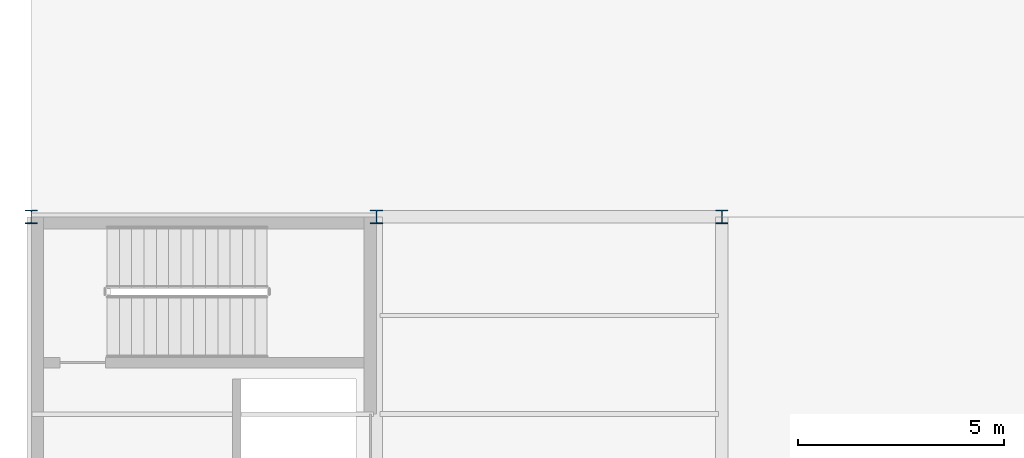
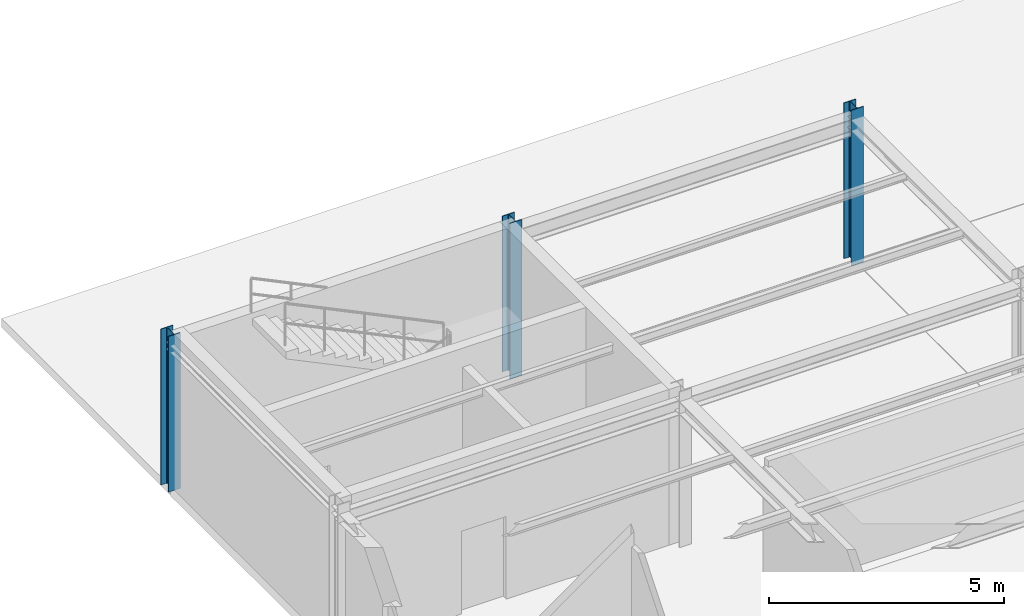
# One storey, part 10 of 70: 3 columns.
"""IFC4 building model written with IfcOpenShell, lengths in metres."""

from ifc_helpers import new_model, si_unit, derived_unit, direction, frame, origin, origin_2d, place, context, subcontext, project, spatial, i_section, extrude, material, material_profile, profile_set, type_object, element, save


model = new_model("IFC4")

# Units and contexts
model_context = context("Model", 3, precision=1e-05, world=origin(), true_north=direction((0.0, 1.0)))
body_context = subcontext(model_context, "Body", "Model", "MODEL_VIEW")
ifc_project = project(units=[si_unit("LENGTHUNIT", "METRE"), si_unit("AREAUNIT", "SQUARE_METRE"), si_unit("VOLUMEUNIT", "CUBIC_METRE"), si_unit("PLANEANGLEUNIT", "RADIAN"), si_unit("MASSUNIT", "GRAM", prefix="KILO"), derived_unit("THERMALTRANSMITTANCEUNIT", [(si_unit("POWERUNIT", "WATT"), 1), (si_unit("AREAUNIT", "SQUARE_METRE"), -1), (si_unit("THERMODYNAMICTEMPERATUREUNIT", "KELVIN"), -1)])], contexts=[model_context])

# Site, building, storey
site_placement = place(None, origin())
site = spatial("IfcSite", under=ifc_project, at=site_placement, CompositionType="ELEMENT")
building_placement = place(site_placement, origin())
building = spatial("IfcBuilding", under=site, at=building_placement, Name="Yasenodar Specialist Clinic", CompositionType="ELEMENT")
storey_placement = place(building_placement, frame((0.0, 0.0, 13.199951171875)))
storey = spatial("IfcBuildingStorey", under=building, at=storey_placement, Name="L03", CompositionType="ELEMENT", Elevation=13.199951171875)

# Columns
ifc_material = material(Name="Steel S355", Category="steel")
ifc_material_profile = material_profile(ifc_material, i_section(OverallWidth=0.300048828125, OverallDepth=0.330078125, WebThickness=0.009521484375, FlangeThickness=0.0166015625, FilletRadius=0.027099609375, at=origin_2d()), Name="HEA 340")
ifc_profile_set = profile_set([ifc_material_profile], Name="Steel S355")
column_type = type_object("IfcColumnType", Name="COL-ST-HEA340", PredefinedType="COLUMN", material=ifc_profile_set)
for number, where, z_axis, x_axis, name in (
    (1, (0.0, 104.39990234375, 0.0), (0.0, 0.0, 1.0), (1.0, 0.0, 0.0), "L03 Column V4-014"),
    (2, (8.39990234375, 104.39990234375, 0.0), (0.0, 0.0, 1.0), (1.0, 0.0, 0.0), "L03 Column V4-029"),
    (3, (16.800048828125, 104.39990234375, 0.0), (0.0, 0.0, 1.0), (1.0, 0.0, 0.0), "L03 Column V4-044"),
):
    element("IfcColumn", number, at=place(storey_placement, frame(where, z_axis=z_axis, x_axis=x_axis)), inside=storey, type_object=column_type, Name=name, PredefinedType="COLUMN", context=body_context, shape_type="SweptSolid", body=[
        extrude(i_section(OverallWidth=0.300048828125, OverallDepth=0.330078125, WebThickness=0.009521484375, FlangeThickness=0.0166015625, FilletRadius=0.027099609375, at=origin_2d()), origin(), (0.0, 0.0, 1.0), 4.050048828125),
    ])

save(model, "model.ifc")
